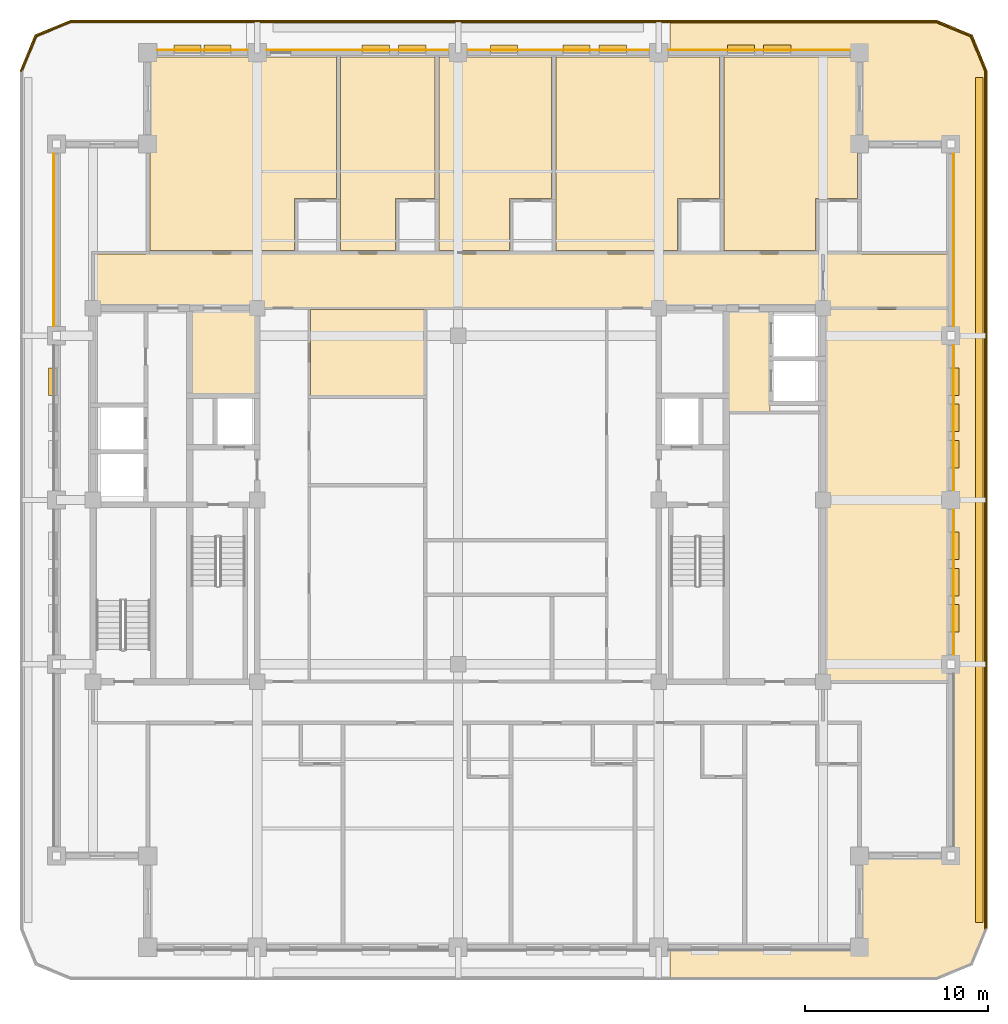
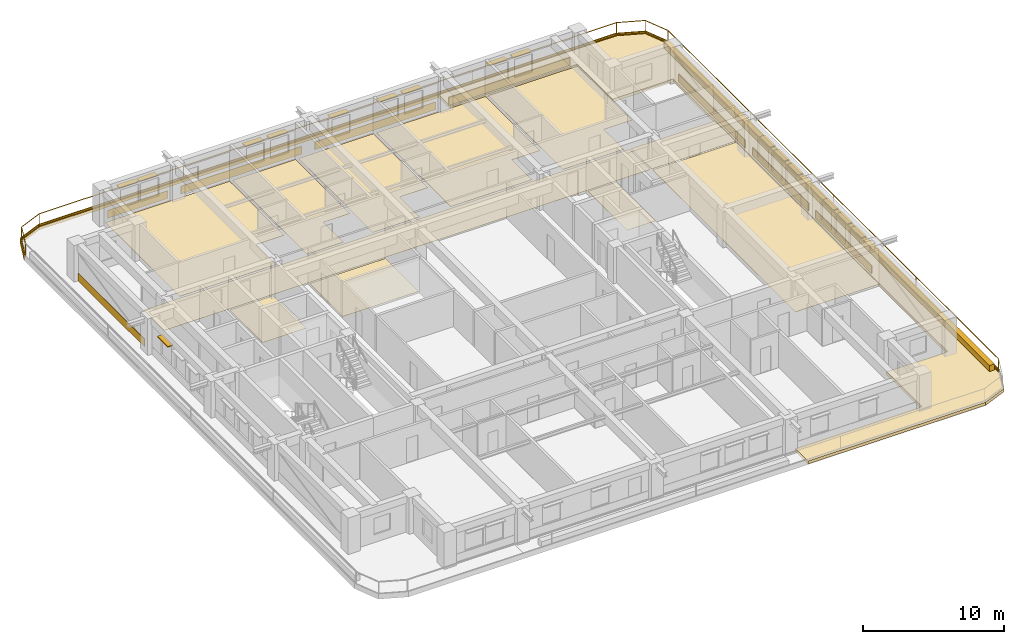
# One storey, part 14 of 14: 27 coverings, 16 shading devices, 2 railings.
"""IFC4 building model written with IfcOpenShell, lengths in metres."""

from ifc_helpers import new_model, si_unit, direction, frame, frame_2d, origin, origin_2d, place, context, subcontext, project, spatial, polyline, rectangle, outline, extrude, material, layer, layer_set, type_object, element, save


model = new_model("IFC4")

# Units and contexts
model_context = context("Model", 3, precision=1e-05, world=origin(), true_north=direction((0.0, 1.0)))
body_context = subcontext(model_context, "Body", "Model", "MODEL_VIEW")
ifc_project = project(units=[si_unit("LENGTHUNIT", "METRE"), si_unit("AREAUNIT", "SQUARE_METRE"), si_unit("VOLUMEUNIT", "CUBIC_METRE"), si_unit("PLANEANGLEUNIT", "RADIAN"), si_unit("MASSUNIT", "GRAM", prefix="KILO")], contexts=[model_context])

# Site, building, storey
site_placement = place(None, origin())
site = spatial("IfcSite", under=ifc_project, at=site_placement, CompositionType="ELEMENT")
building_placement = place(site_placement, origin())
building = spatial("IfcBuilding", under=site, at=building_placement, Name="Zulmaris Gate Convention Tower", CompositionType="ELEMENT")
storey_placement = place(building_placement, frame((0.0, 0.0, 179.659912109375)))
storey = spatial("IfcBuildingStorey", under=building, at=storey_placement, Name="L46", CompositionType="ELEMENT", Elevation=179.659912109375)

# Coverings
ifc_material_1 = material(Name="Precast concrete C40/50", Category="concrete")
ifc_layer_1 = layer(ifc_material_1, 0.0400390625, Name="Precast concrete C40/50")
ifc_layer_set_1 = layer_set([ifc_layer_1], Name="Precast concrete C40/50")
covering_type_1 = type_object("IfcCoveringType", Name="CLAD-SPANDREL-PRECAST", PredefinedType="CLADDING", material=ifc_layer_set_1)
covering_1_placement = place(storey_placement, frame((-11.530029296875, 24.64990234375, 0.0), z_axis=(0.0, 0.0, 1.0), x_axis=(-1.0, 0.0, 0.0)))
element("IfcCovering", 1, at=covering_1_placement, inside=storey, type_object=covering_type_1, Name="CLD-L46-N-0_0", PredefinedType="CLADDING", context=body_context, shape_type="SweptSolid", body=[
    extrude(rectangle(XDim=4.93994140625, YDim=0.0400390625, at=frame_2d((2.469970703125, 0.0))), origin(), (0.0, 0.0, 1.0), 0.679931640625),
])
for number, where, z_axis, x_axis, name in (
    (2, (-0.530029296875, 24.64990234375, 0.0), (0.0, 0.0, 1.0), (-1.0, 0.0, 0.0), "CLD-L46-N-1_0"),
    (3, (10.469970703125, 24.64990234375, 0.0), (0.0, 0.0, 1.0), (-1.0, 0.0, 0.0), "CLD-L46-N-2_0"),
    (4, (21.469970703125, 24.64990234375, 0.0), (0.0, 0.0, 1.0), (-1.0, 0.0, 0.0), "CLD-L46-N-3_0"),
):
    element("IfcCovering", number, at=place(storey_placement, frame(where, z_axis=z_axis, x_axis=x_axis)), inside=storey, type_object=covering_type_1, Name=name, PredefinedType="CLADDING", context=body_context, shape_type="SweptSolid", body=[
        extrude(rectangle(XDim=9.93994140625, YDim=0.0400390625, at=frame_2d((4.969970703125, 0.0))), origin(), (0.0, 0.0, 1.0), 0.679931640625),
    ])
for number, where, z_axis, x_axis, name in (
    (5, (27.14990234375, -8.469970703125, 0.0), (0.0, 0.0, 1.0), (0.0, 1.0, 0.0), "CLD-L46-E-1_0"),
    (6, (27.14990234375, 0.530029296875, 0.0), (0.0, 0.0, 1.0), (0.0, 1.0, 0.0), "CLD-L46-E-2_0"),
):
    element("IfcCovering", number, at=place(storey_placement, frame(where, z_axis=z_axis, x_axis=x_axis)), inside=storey, type_object=covering_type_1, Name=name, PredefinedType="CLADDING", context=body_context, shape_type="SweptSolid", body=[
        extrude(rectangle(XDim=7.93994140625, YDim=0.0400390625, at=frame_2d((3.969970703125, 0.0))), origin(), (0.0, 0.0, 1.0), 0.679931640625),
    ])
for number, where, z_axis, x_axis, name in (
    (7, (27.14990234375, 9.530029296875, 0.0), (0.0, 0.0, 1.0), (0.0, 1.0, 0.0), "CLD-L46-E-3_0"),
    (8, (-22.14990234375, 18.969970703125, 0.0), (0.0, 0.0, 1.0), (0.0, -1.0, 0.0), "CLD-L46-W-3_0"),
):
    element("IfcCovering", number, at=place(storey_placement, frame(where, z_axis=z_axis, x_axis=x_axis)), inside=storey, type_object=covering_type_1, Name=name, PredefinedType="CLADDING", context=body_context, shape_type="SweptSolid", body=[
        extrude(rectangle(XDim=9.43994140625, YDim=0.0400390625, at=frame_2d((4.719970703125, 0.0))), origin(), (0.0, 0.0, 1.0), 0.679931640625),
    ])
ifc_material_2 = material(Name="White Glazed Architectural Precast Concrete C40/50", Category="concrete")
ifc_layer_2 = layer(ifc_material_2, 0.239990234375, Name="White Glazed Architectural Precast Concrete C40/50")
ifc_layer_set_2 = layer_set([ifc_layer_2], Name="White Glazed Architectural Precast Concrete C40/50")
covering_type_2 = type_object("IfcCoveringType", Name="CLAD-TRAY-DECK", PredefinedType="CLADDING", material=ifc_layer_set_2)
covering_2_placement = place(storey_placement, frame((0.0, 0.0, -0.27490234375)))
element("IfcCovering", 9, at=covering_2_placement, inside=storey, type_object=covering_type_2, Name="L46 East Rounded-Fascia Planter Tray Deck", PredefinedType="CLADDING", context=body_context, shape_type="SweptSolid", body=[
    extrude(outline(polyline([(26.199951171875, 26.300048828125), (28.179931640625, 25.47998046875), (29.0, 23.5), (29.0, -23.5), (28.179931640625, -25.47998046875), (26.199951171875, -26.300048828125), (11.60205078125, -26.300048828125), (11.60205078125, -24.5), (22.0, -24.5), (22.0, -19.5), (27.0, -19.5), (27.0, 19.5), (22.0, 19.5), (22.0, 24.5), (11.60205078125, 24.5), (11.60205078125, 26.300048828125), (26.199951171875, 26.300048828125)])), origin(), (0.0, 0.0, 1.0), 0.260009765625),
])
ifc_layer_3 = layer(ifc_material_2, 0.080078125, Name="White Glazed Architectural Precast Concrete C40/50")
ifc_layer_set_3 = layer_set([ifc_layer_3], Name="White Glazed Architectural Precast Concrete C40/50")
covering_type_3 = type_object("IfcCoveringType", Name="CLAD-TRAY-FASCIA", PredefinedType="CLADDING", material=ifc_layer_set_3)
covering_3_placement = place(storey_placement, frame((28.9599609375, -23.5, -0.31494140625), z_axis=(0.0, 0.0, 1.0), x_axis=(0.0, 1.0, 0.0)))
element("IfcCovering", 10, at=covering_3_placement, inside=storey, type_object=covering_type_3, Name="FSC-L46-TR-05", PredefinedType="CLADDING", context=body_context, shape_type="SweptSolid", body=[
    extrude(rectangle(XDim=47.0, YDim=0.080078125, at=frame_2d((23.5, 0.0))), origin(), (0.0, 0.0, 1.0), 0.4599609375),
])
covering_4_placement = place(storey_placement, frame((28.962890625, 23.484619140625, -0.31494140625), z_axis=(0.0, 0.0, 1.0), x_axis=(-0.382656984709, 0.923890487046, 0.0)))
element("IfcCovering", 11, at=covering_4_placement, inside=storey, type_object=covering_type_3, Name="FSC-L46-TR-06", PredefinedType="CLADDING", context=body_context, shape_type="SweptSolid", body=[
    extrude(rectangle(XDim=2.14306640625, YDim=0.080078125, at=frame_2d((1.071533203125, 0.0))), origin(), (0.0, 0.0, 1.0), 0.4599609375),
])
covering_5_placement = place(storey_placement, frame((28.16455078125, 25.44287109375, -0.31494140625), z_axis=(0.0, 0.0, 1.0), x_axis=(-0.923873803533, 0.382697263049, 0.0)))
element("IfcCovering", 12, at=covering_5_placement, inside=storey, type_object=covering_type_3, Name="FSC-L46-TR-07", PredefinedType="CLADDING", context=body_context, shape_type="SweptSolid", body=[
    extrude(rectangle(XDim=2.142822265625, YDim=0.080078125, at=frame_2d((1.0712890625, 0.0))), origin(), (0.0, 0.0, 1.0), 0.4599609375),
])
covering_6_placement = place(storey_placement, frame((26.199951171875, 26.260009765625, -0.31494140625), z_axis=(0.0, 0.0, 1.0), x_axis=(-1.0, 0.0, 0.0)))
element("IfcCovering", 13, at=covering_6_placement, inside=storey, type_object=covering_type_3, Name="FSC-L46-TR-08", PredefinedType="CLADDING", context=body_context, shape_type="SweptSolid", body=[
    extrude(rectangle(XDim=47.39990234375, YDim=0.080078125, at=frame_2d((23.699951171875, 0.0))), origin(), (0.0, 0.0, 1.0), 0.4599609375),
])
covering_7_placement = place(storey_placement, frame((-21.184814453125, 26.262939453125, -0.31494140625), z_axis=(0.0, 0.0, 1.0), x_axis=(-0.923873803533, -0.382697263049, 0.0)))
element("IfcCovering", 14, at=covering_7_placement, inside=storey, type_object=covering_type_3, Name="FSC-L46-TR-09", PredefinedType="CLADDING", context=body_context, shape_type="SweptSolid", body=[
    extrude(rectangle(XDim=2.142822265625, YDim=0.080078125, at=frame_2d((1.0712890625, 0.0))), origin(), (0.0, 0.0, 1.0), 0.4599609375),
])
covering_8_placement = place(storey_placement, frame((-23.142822265625, 25.464599609375, -0.31494140625), z_axis=(0.0, 0.0, 1.0), x_axis=(-0.382656984709, -0.923890487046, 0.0)))
element("IfcCovering", 15, at=covering_8_placement, inside=storey, type_object=covering_type_3, Name="FSC-L46-TR-10", PredefinedType="CLADDING", context=body_context, shape_type="SweptSolid", body=[
    extrude(rectangle(XDim=2.14306640625, YDim=0.080078125, at=frame_2d((1.071533203125, 0.0))), origin(), (0.0, 0.0, 1.0), 0.4599609375),
])
ifc_material_3 = material(Name="Woven Acoustic Wool Carpet Tile")
ifc_layer_4 = layer(ifc_material_3, 0.02001953125, Name="Woven Acoustic Wool Carpet Tile")
ifc_layer_set_4 = layer_set([ifc_layer_4], Name="Woven Acoustic Wool Carpet Tile")
covering_type_4 = type_object("IfcCoveringType", Name="FLR-CARPET-12", PredefinedType="FLOORING", material=ifc_layer_set_4)
covering_9_placement = place(storey_placement, origin())
element("IfcCovering", 16, at=covering_9_placement, inside=storey, type_object=covering_type_4, Name="FLR-L46-R11", PredefinedType="FLOORING", context=body_context, shape_type="SweptSolid", body=[
    extrude(outline(polyline([(-14.639892578125, 5.760009765625), (-11.06005859375, 5.760009765625), (-11.06005859375, 10.43994140625), (-14.639892578125, 10.43994140625), (-14.639892578125, 5.760009765625)])), origin(), (0.0, 0.0, 1.0), 0.02001953125),
])
covering_10_placement = place(storey_placement, origin())
element("IfcCovering", 17, at=covering_10_placement, inside=storey, type_object=covering_type_4, Name="FLR-L46-R21", PredefinedType="FLOORING", context=body_context, shape_type="SweptSolid", body=[
    extrude(outline(polyline([(14.760009765625, 4.860107421875), (17.090087890625, 4.860107421875), (17.090087890625, 10.43994140625), (14.760009765625, 10.43994140625), (14.760009765625, 4.860107421875)])), origin(), (0.0, 0.0, 1.0), 0.02001953125),
])
covering_11_placement = place(storey_placement, origin())
element("IfcCovering", 18, at=covering_11_placement, inside=storey, type_object=covering_type_4, Name="FLR-L46-R25", PredefinedType="FLOORING", context=body_context, shape_type="SweptSolid", body=[
    extrude(outline(polyline([(-19.93994140625, 10.56005859375), (19.93994140625, 10.56005859375), (19.93994140625, 13.489990234375), (-19.93994140625, 13.489990234375), (-19.93994140625, 10.56005859375)])), origin(), (0.0, 0.0, 1.0), 0.02001953125),
])
covering_12_placement = place(storey_placement, origin())
element("IfcCovering", 19, at=covering_12_placement, inside=storey, type_object=covering_type_4, Name="FLR-L46-R32", PredefinedType="FLOORING", context=body_context, shape_type="SweptSolid", body=[
    extrude(outline(polyline([(-6.429931640625, 13.669921875), (-3.429931640625, 13.669921875), (-3.429931640625, 16.52001953125), (-1.27001953125, 16.52001953125), (-1.27001953125, 24.260009765625), (-6.429931640625, 24.260009765625), (-6.429931640625, 13.669921875)])), origin(), (0.0, 0.0, 1.0), 0.02001953125),
])
covering_13_placement = place(storey_placement, origin())
element("IfcCovering", 20, at=covering_13_placement, inside=storey, type_object=covering_type_4, Name="FLR-L46-R56", PredefinedType="FLOORING", context=body_context, shape_type="SweptSolid", body=[
    extrude(outline(polyline([(20.06005859375, 10.56005859375), (26.93994140625, 10.56005859375), (26.93994140625, 13.489990234375), (20.06005859375, 13.489990234375), (20.06005859375, 10.56005859375)])), origin(), (0.0, 0.0, 1.0), 0.02001953125),
])
ifc_material_4 = material(Name="Engineered Teak Parquet Flooring")
ifc_layer_5 = layer(ifc_material_4, 0.02001953125, Name="Engineered Teak Parquet Flooring")
ifc_layer_set_5 = layer_set([ifc_layer_5], Name="Engineered Teak Parquet Flooring")
covering_type_5 = type_object("IfcCoveringType", Name="FLR-TIMBER-18", PredefinedType="FLOORING", material=ifc_layer_set_5)
covering_14_placement = place(storey_placement, origin())
element("IfcCovering", 21, at=covering_14_placement, inside=storey, type_object=covering_type_5, Name="FLR-L46-R30", PredefinedType="FLOORING", context=body_context, shape_type="SweptSolid", body=[
    extrude(outline(polyline([(-16.8798828125, 13.669921875), (-8.969970703125, 13.669921875), (-8.969970703125, 16.52001953125), (-6.669921875, 16.52001953125), (-6.669921875, 24.260009765625), (-16.8798828125, 24.260009765625), (-16.8798828125, 13.669921875)])), origin(), (0.0, 0.0, 1.0), 0.02001953125),
])
covering_15_placement = place(storey_placement, origin())
element("IfcCovering", 22, at=covering_15_placement, inside=storey, type_object=covering_type_5, Name="FLR-L46-R34", PredefinedType="FLOORING", context=body_context, shape_type="SweptSolid", body=[
    extrude(outline(polyline([(-1.030029296875, 13.669921875), (2.830078125, 13.669921875), (2.830078125, 16.52001953125), (5.1298828125, 16.52001953125), (5.1298828125, 24.260009765625), (-1.030029296875, 24.260009765625), (-1.030029296875, 13.669921875)])), origin(), (0.0, 0.0, 1.0), 0.02001953125),
])
covering_16_placement = place(storey_placement, origin())
element("IfcCovering", 23, at=covering_16_placement, inside=storey, type_object=covering_type_5, Name="FLR-L46-R36", PredefinedType="FLOORING", context=body_context, shape_type="SweptSolid", body=[
    extrude(outline(polyline([(5.3701171875, 13.669921875), (12.030029296875, 13.669921875), (12.030029296875, 16.52001953125), (14.330078125, 16.52001953125), (14.330078125, 24.260009765625), (5.3701171875, 24.260009765625), (5.3701171875, 13.669921875)])), origin(), (0.0, 0.0, 1.0), 0.02001953125),
])
covering_17_placement = place(storey_placement, origin())
element("IfcCovering", 24, at=covering_17_placement, inside=storey, type_object=covering_type_5, Name="FLR-L46-R38", PredefinedType="FLOORING", context=body_context, shape_type="SweptSolid", body=[
    extrude(outline(polyline([(14.570068359375, 13.669921875), (19.580078125, 13.669921875), (19.580078125, 16.52001953125), (21.8798828125, 16.52001953125), (21.8798828125, 24.260009765625), (14.570068359375, 24.260009765625), (14.570068359375, 13.669921875)])), origin(), (0.0, 0.0, 1.0), 0.02001953125),
])
covering_18_placement = place(storey_placement, origin())
element("IfcCovering", 25, at=covering_18_placement, inside=storey, type_object=covering_type_5, Name="FLR-L46-R49", PredefinedType="FLOORING", context=body_context, shape_type="SweptSolid", body=[
    extrude(outline(polyline([(-8.090087890625, 5.7099609375), (-1.860107421875, 5.7099609375), (-1.860107421875, 10.43994140625), (-8.090087890625, 10.43994140625), (-8.090087890625, 5.7099609375)])), origin(), (0.0, 0.0, 1.0), 0.02001953125),
])
covering_19_placement = place(storey_placement, origin())
element("IfcCovering", 26, at=covering_19_placement, inside=storey, type_object=covering_type_5, Name="FLR-L46-R57", PredefinedType="FLOORING", context=body_context, shape_type="SweptSolid", body=[
    extrude(outline(polyline([(20.06005859375, -9.889892578125), (26.93994140625, -9.889892578125), (26.93994140625, 10.43994140625), (20.06005859375, 10.43994140625), (20.06005859375, -9.889892578125)])), origin(), (0.0, 0.0, 1.0), 0.02001953125),
])
ifc_material_5 = material(Name="Botanical Green Glazed Precast Concrete C40/50", Category="concrete")
ifc_layer_6 = layer(ifc_material_5, 0.419921875, Name="Botanical Green Glazed Precast Concrete C40/50")
ifc_layer_set_6 = layer_set([ifc_layer_6], Name="Botanical Green Glazed Precast Concrete C40/50")
covering_type_6 = type_object("IfcCoveringType", Name="PLANTER-BOX-200", PredefinedType="CLADDING", material=ifc_layer_set_6)
covering_20_placement = place(storey_placement, frame((0.0, 0.0, -0.014892578125)))
element("IfcCovering", 27, at=covering_20_placement, inside=storey, type_object=covering_type_6, Name="L46 E Full-Length Balcony Tree Planter Trough", PredefinedType="CLADDING", context=body_context, shape_type="SweptSolid", body=[
    extrude(outline(polyline([(28.340087890625, -23.14990234375), (28.760009765625, -23.14990234375), (28.760009765625, 23.14990234375), (28.340087890625, 23.14990234375), (28.340087890625, -23.14990234375)])), origin(), (0.0, 0.0, 1.0), 0.519775390625),
])

# Railings
ifc_material_6 = material(Name="Laminated Glass and Stainless Steel", Category="steel")
railing_type = type_object("IfcRailingType", Name="RL-BALC-1150", PredefinedType="BALUSTRADE", material=ifc_material_6)
railing_1_placement = place(storey_placement, frame((28.8798828125, -23.5, -0.014892578125)))
element("IfcRailing", 28, at=railing_1_placement, inside=storey, type_object=railing_type, Name="RL-L46-BALC-E", PredefinedType="BALUSTRADE", context=body_context, shape_type="SweptSolid", body=[
    extrude(rectangle(XDim=0.048095703125, YDim=0.048095703125, at=origin_2d()), frame((0.0, 0.0, 1.1259765625), z_axis=(0.0, 1.0, 0.0), x_axis=(-1.0, 0.0, 0.0)), (0.0, 0.0, 1.0), 47.0),
    extrude(rectangle(XDim=0.048095703125, YDim=0.048095703125, at=origin_2d()), frame((0.0, 0.0, 0.02392578125), z_axis=(0.0, 1.0, 0.0), x_axis=(-1.0, 0.0, 0.0)), (0.0, 0.0, 1.0), 47.0),
    extrude(rectangle(XDim=0.0419921875, YDim=0.0419921875, at=origin_2d()), origin(), (0.0, 0.0, 1.0), 1.101806640625),
    extrude(rectangle(XDim=0.0419921875, YDim=0.0419921875, at=origin_2d()), frame((0.0, 11.75, 0.0)), (0.0, 0.0, 1.0), 1.101806640625),
    extrude(rectangle(XDim=0.0419921875, YDim=0.0419921875, at=origin_2d()), frame((0.0, 23.5, 0.0)), (0.0, 0.0, 1.0), 1.101806640625),
    extrude(rectangle(XDim=0.0419921875, YDim=0.0419921875, at=origin_2d()), frame((0.0, 35.25, 0.0)), (0.0, 0.0, 1.0), 1.101806640625),
    extrude(rectangle(XDim=0.0419921875, YDim=0.0419921875, at=origin_2d()), frame((0.0, 47.0, 0.0)), (0.0, 0.0, 1.0), 1.101806640625),
])
railing_2_placement = place(storey_placement, frame((28.8798828125, 23.5, -0.014892578125)))
element("IfcRailing", 29, at=railing_2_placement, inside=storey, type_object=railing_type, Name="RL-L46-BALC-N", PredefinedType="BALUSTRADE", context=body_context, shape_type="SweptSolid", body=[
    extrude(rectangle(XDim=0.048095703125, YDim=0.048095703125, at=origin_2d()), frame((0.0, 0.0, 1.1259765625), z_axis=(-0.382670664694, 0.92388482095, 0.0), x_axis=(-0.92388482095, -0.382670664694, 0.0)), (0.0, 0.0, 1.0), 2.051025390625),
    extrude(rectangle(XDim=0.048095703125, YDim=0.048095703125, at=origin_2d()), frame((0.0, 0.0, 0.02392578125), z_axis=(-0.382670664694, 0.92388482095, 0.0), x_axis=(-0.92388482095, -0.382670664694, 0.0)), (0.0, 0.0, 1.0), 2.051025390625),
    extrude(rectangle(XDim=0.048095703125, YDim=0.048095703125, at=origin_2d()), frame((-0.784912109375, 1.89501953125, 1.1259765625), z_axis=(-0.92388482095, 0.382670664694, 0.0), x_axis=(-0.382670664694, -0.92388482095, 0.0)), (0.0, 0.0, 1.0), 2.051025390625),
    extrude(rectangle(XDim=0.048095703125, YDim=0.048095703125, at=origin_2d()), frame((-0.784912109375, 1.89501953125, 0.02392578125), z_axis=(-0.92388482095, 0.382670664694, 0.0), x_axis=(-0.382670664694, -0.92388482095, 0.0)), (0.0, 0.0, 1.0), 2.051025390625),
    extrude(rectangle(XDim=0.048095703125, YDim=0.048095703125, at=origin_2d()), frame((-2.679931640625, 2.679931640625, 1.1259765625), z_axis=(-1.0, 0.0, 0.0), x_axis=(0.0, -1.0, 0.0)), (0.0, 0.0, 1.0), 47.39990234375),
    extrude(rectangle(XDim=0.048095703125, YDim=0.048095703125, at=origin_2d()), frame((-2.679931640625, 2.679931640625, 0.02392578125), z_axis=(-1.0, 0.0, 0.0), x_axis=(0.0, -1.0, 0.0)), (0.0, 0.0, 1.0), 47.39990234375),
    extrude(rectangle(XDim=0.048095703125, YDim=0.048095703125, at=origin_2d()), frame((-50.079833984375, 2.679931640625, 1.1259765625), z_axis=(-0.92388482095, -0.382670664694, 0.0), x_axis=(0.382670664694, -0.92388482095, 0.0)), (0.0, 0.0, 1.0), 2.051025390625),
    extrude(rectangle(XDim=0.048095703125, YDim=0.048095703125, at=origin_2d()), frame((-50.079833984375, 2.679931640625, 0.02392578125), z_axis=(-0.92388482095, -0.382670664694, 0.0), x_axis=(0.382670664694, -0.92388482095, 0.0)), (0.0, 0.0, 1.0), 2.051025390625),
    extrude(rectangle(XDim=0.048095703125, YDim=0.048095703125, at=origin_2d()), frame((-51.974853515625, 1.89501953125, 1.1259765625), z_axis=(-0.382670664694, -0.92388482095, 0.0), x_axis=(0.92388482095, -0.382670664694, 0.0)), (0.0, 0.0, 1.0), 2.051025390625),
    extrude(rectangle(XDim=0.048095703125, YDim=0.048095703125, at=origin_2d()), frame((-51.974853515625, 1.89501953125, 0.02392578125), z_axis=(-0.382670664694, -0.92388482095, 0.0), x_axis=(0.92388482095, -0.382670664694, 0.0)), (0.0, 0.0, 1.0), 2.051025390625),
    extrude(rectangle(XDim=0.0419921875, YDim=0.0419921875, at=origin_2d()), origin(), (0.0, 0.0, 1.0), 1.101806640625),
    extrude(rectangle(XDim=0.0419921875, YDim=0.0419921875, at=origin_2d()), frame((-0.784912109375, 1.89501953125, 0.0)), (0.0, 0.0, 1.0), 1.101806640625),
    extrude(rectangle(XDim=0.0419921875, YDim=0.0419921875, at=origin_2d()), frame((-2.679931640625, 2.679931640625, 0.0)), (0.0, 0.0, 1.0), 1.101806640625),
    extrude(rectangle(XDim=0.0419921875, YDim=0.0419921875, at=origin_2d()), frame((-14.52978515625, 2.679931640625, 0.0)), (0.0, 0.0, 1.0), 1.101806640625),
    extrude(rectangle(XDim=0.0419921875, YDim=0.0419921875, at=origin_2d()), frame((-26.3798828125, 2.679931640625, 0.0)), (0.0, 0.0, 1.0), 1.101806640625),
    extrude(rectangle(XDim=0.0419921875, YDim=0.0419921875, at=origin_2d()), frame((-38.22998046875, 2.679931640625, 0.0)), (0.0, 0.0, 1.0), 1.101806640625),
    extrude(rectangle(XDim=0.0419921875, YDim=0.0419921875, at=origin_2d()), frame((-50.079833984375, 2.679931640625, 0.0)), (0.0, 0.0, 1.0), 1.101806640625),
    extrude(rectangle(XDim=0.0419921875, YDim=0.0419921875, at=origin_2d()), frame((-51.974853515625, 1.89501953125, 0.0)), (0.0, 0.0, 1.0), 1.101806640625),
    extrude(rectangle(XDim=0.0419921875, YDim=0.0419921875, at=origin_2d()), frame((-52.759765625, 0.0, 0.0)), (0.0, 0.0, 1.0), 1.101806640625),
])

# Shading devices
ifc_material_7 = material(Name="Glazed Ceramic Terracotta", Category="masonry")
ifc_layer_7 = layer(ifc_material_7, 0.070068359375, Name="Glazed Ceramic Terracotta")
ifc_layer_set_7 = layer_set([ifc_layer_7], Name="Glazed Ceramic Terracotta")
shading_device_type = type_object("IfcShadingDeviceType", Name="SHD-SUNSHADE-TC", PredefinedType="AWNING", material=ifc_layer_set_7)
for number, where, z_axis, x_axis, name in (
    (30, (-12.427001953125, 24.719970703125, 2.35009765625), (0.0, 0.0, 1.0), (-1.0, 0.0, 0.0), "SHD-EW-L46-N-0_0-1"),
    (31, (-14.072998046875, 24.719970703125, 2.35009765625), (0.0, 0.0, 1.0), (-1.0, 0.0, 0.0), "SHD-EW-L46-N-0_0-2"),
    (32, (-1.76806640625, 24.719970703125, 2.35009765625), (0.0, 0.0, 1.0), (-1.0, 0.0, 0.0), "SHD-EW-L46-N-1_0-1"),
    (33, (-3.756103515625, 24.719970703125, 2.35009765625), (0.0, 0.0, 1.0), (-1.0, 0.0, 0.0), "SHD-EW-L46-N-1_0-2"),
    (34, (9.23193359375, 24.719970703125, 2.35009765625), (0.0, 0.0, 1.0), (-1.0, 0.0, 0.0), "SHD-EW-L46-N-2_0-1"),
    (35, (7.243896484375, 24.719970703125, 2.35009765625), (0.0, 0.0, 1.0), (-1.0, 0.0, 0.0), "SHD-EW-L46-N-2_0-2"),
    (36, (3.26806640625, 24.719970703125, 2.35009765625), (0.0, 0.0, 1.0), (-1.0, 0.0, 0.0), "SHD-EW-L46-N-2_0-4"),
    (37, (18.243896484375, 24.719970703125, 2.35009765625), (0.0, 0.0, 1.0), (-1.0, 0.0, 0.0), "SHD-EW-L46-N-3_0-2"),
    (38, (16.256103515625, 24.719970703125, 2.35009765625), (0.0, 0.0, 1.0), (-1.0, 0.0, 0.0), "SHD-EW-L46-N-3_0-3"),
    (39, (27.219970703125, -7.235107421875, 2.35009765625), (0.0, 0.0, 1.0), (0.0, 1.0, 0.0), "SHD-EW-L46-E-1_0-1"),
    (40, (27.219970703125, -5.25, 2.35009765625), (0.0, 0.0, 1.0), (0.0, 1.0, 0.0), "SHD-EW-L46-E-1_0-2"),
    (41, (27.219970703125, -3.264892578125, 2.35009765625), (0.0, 0.0, 1.0), (0.0, 1.0, 0.0), "SHD-EW-L46-E-1_0-3"),
    (42, (27.219970703125, 1.764892578125, 2.35009765625), (0.0, 0.0, 1.0), (0.0, 1.0, 0.0), "SHD-EW-L46-E-2_0-1"),
    (43, (27.219970703125, 3.75, 2.35009765625), (0.0, 0.0, 1.0), (0.0, 1.0, 0.0), "SHD-EW-L46-E-2_0-2"),
    (44, (27.219970703125, 5.735107421875, 2.35009765625), (0.0, 0.0, 1.0), (0.0, 1.0, 0.0), "SHD-EW-L46-E-2_0-3"),
    (45, (-22.219970703125, 7.235107421875, 2.35009765625), (0.0, 0.0, 1.0), (0.0, -1.0, 0.0), "SHD-EW-L46-W-2_0-1"),
):
    element("IfcShadingDevice", number, at=place(storey_placement, frame(where, z_axis=z_axis, x_axis=x_axis)), inside=storey, type_object=shading_device_type, Name=name, PredefinedType="AWNING", context=body_context, shape_type="SweptSolid", body=[
        extrude(rectangle(XDim=1.5, YDim=0.43994140625, at=frame_2d((0.75, 0.0))), origin(), (0.0, 0.0, 1.0), 0.06982421875),
    ])

save(model, "model.ifc")
